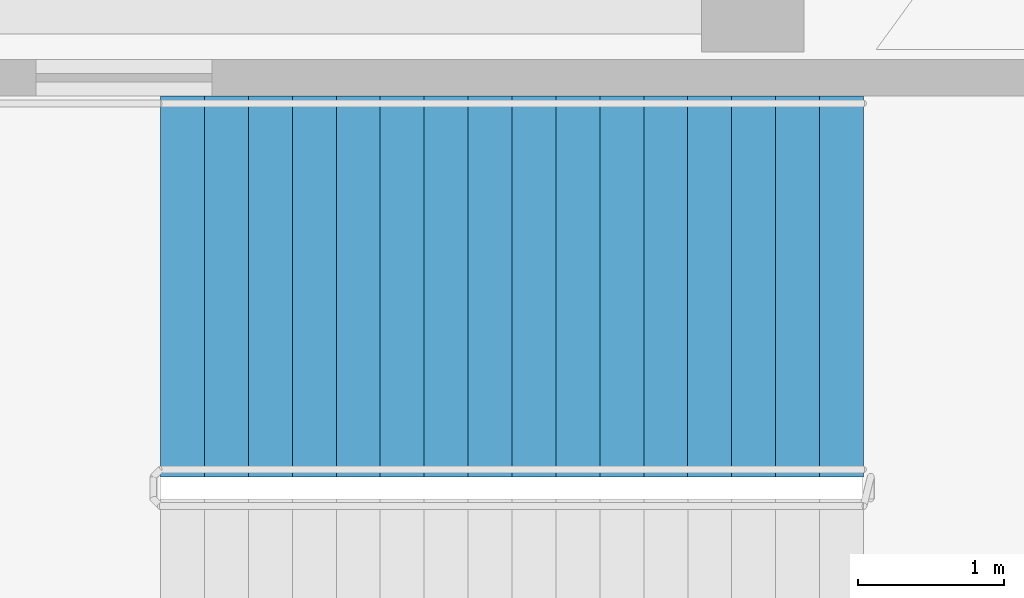
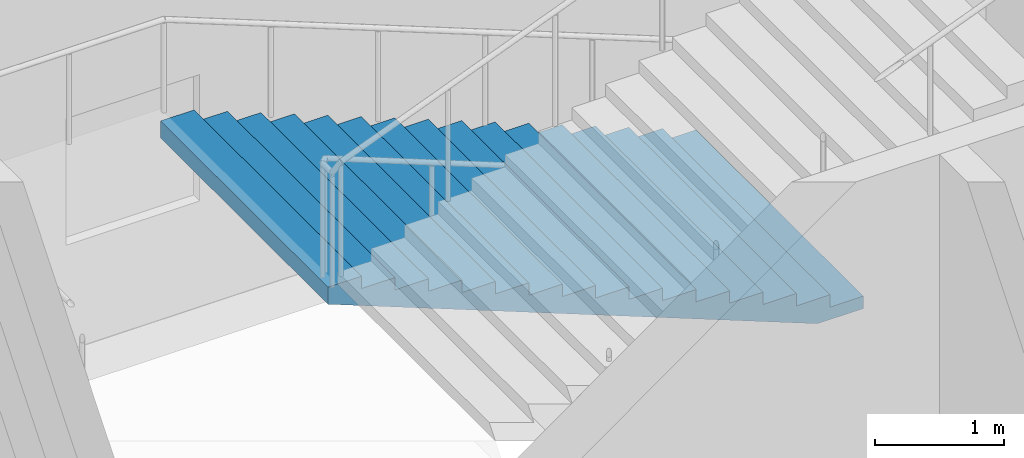
# One storey, part 8 of 10: 1 stair flight, 1 element without a shape of its own.
"""IFC4 building model written with IfcOpenShell, lengths in metres."""

from ifc_helpers import new_model, si_unit, direction, frame, origin, place, context, subcontext, project, spatial, polyline, outline, extrude, material, type_object, element, aggregate, save


model = new_model("IFC4")

# Units and contexts
model_context = context("Model", 3, precision=1e-05, world=origin(), true_north=direction((0.0, 1.0)))
body_context = subcontext(model_context, "Body", "Model", "MODEL_VIEW")
ifc_project = project(units=[si_unit("LENGTHUNIT", "METRE"), si_unit("AREAUNIT", "SQUARE_METRE"), si_unit("VOLUMEUNIT", "CUBIC_METRE"), si_unit("PLANEANGLEUNIT", "RADIAN"), si_unit("MASSUNIT", "GRAM", prefix="KILO")], contexts=[model_context])

# Site, building, storey
site_placement = place(None, origin())
site = spatial("IfcSite", under=ifc_project, at=site_placement, CompositionType="ELEMENT")
building_placement = place(site_placement, origin())
building = spatial("IfcBuilding", under=site, at=building_placement, Name="Quipu Civic Tower", CompositionType="ELEMENT")
storey_placement = place(building_placement, frame((0.0, 0.0, 327.0)))
storey = spatial("IfcBuildingStorey", under=building, at=storey_placement, Name="L76", CompositionType="ELEMENT", Elevation=327.0)

# Stair, stair flight
ifc_material_1 = material(Name="Concrete C40/50", Category="concrete")
stair_type = type_object("IfcStairType", Name="Half turn stair 2600", PredefinedType="HALF_TURN_STAIR", material=ifc_material_1)
stair_placement = place(storey_placement, origin())
stair = element("IfcStair", 1, at=stair_placement, inside=storey, type_object=stair_type, Name="Exit stair 4", PredefinedType="HALF_TURN_STAIR")
ifc_material_2 = material(Name="Concrete C40/50", Category="concrete")
stair_flight_type = type_object("IfcStairFlightType", Name="Stair flight 2600", PredefinedType="STRAIGHT", material=ifc_material_2)
stair_flight_placement = place(storey_placement, frame((15.14990234375, 8.550048828125, 0.0), z_axis=(0.0, 0.0, 1.0), x_axis=(-1.0, 0.0, 0.0)))
stair_flight = element("IfcStairFlight", 2, at=stair_flight_placement, type_object=stair_flight_type, Name="ST-4 flight 1", NumberOfRisers=17, NumberOfTreads=16, PredefinedType="STRAIGHT", RiserHeight=0.117647059, TreadLength=0.3, context=body_context, shape_type="SweptSolid", body=[
    extrude(outline(polyline([(0.0, 0.0), (0.0, 0.11767578125), (0.300048828125, 0.11767578125), (0.300048828125, 0.2353515625), (0.60009765625, 0.2353515625), (0.60009765625, 0.35302734375), (0.89990234375, 0.35302734375), (0.89990234375, 0.470703125), (1.199951171875, 0.470703125), (1.199951171875, 0.588134765625), (1.5, 0.588134765625), (1.5, 0.705810546875), (1.800048828125, 0.705810546875), (1.800048828125, 0.823486328125), (2.10009765625, 0.823486328125), (2.10009765625, 0.941162109375), (2.39990234375, 0.941162109375), (2.39990234375, 1.058837890625), (2.699951171875, 1.058837890625), (2.699951171875, 1.176513671875), (3.0, 1.176513671875), (3.0, 1.294189453125), (3.300048828125, 1.294189453125), (3.300048828125, 1.411865234375), (3.60009765625, 1.411865234375), (3.60009765625, 1.529296875), (3.89990234375, 1.529296875), (3.89990234375, 1.64697265625), (4.199951171875, 1.64697265625), (4.199951171875, 1.7646484375), (4.5, 1.7646484375), (4.5, 1.88232421875), (4.800048828125, 1.88232421875), (4.800048828125, 2.0), (4.800048828125, 1.721435546875), (0.41064453125, 0.0), (0.0, 0.0)])), frame((0.0, 1.300048828125, 0.0), z_axis=(0.0, -1.0, 0.0), x_axis=(1.0, 0.0, 0.0)), (0.0, 0.0, 1.0), 2.60009765625),
])
aggregate(stair, [stair_flight])

save(model, "model.ifc")
